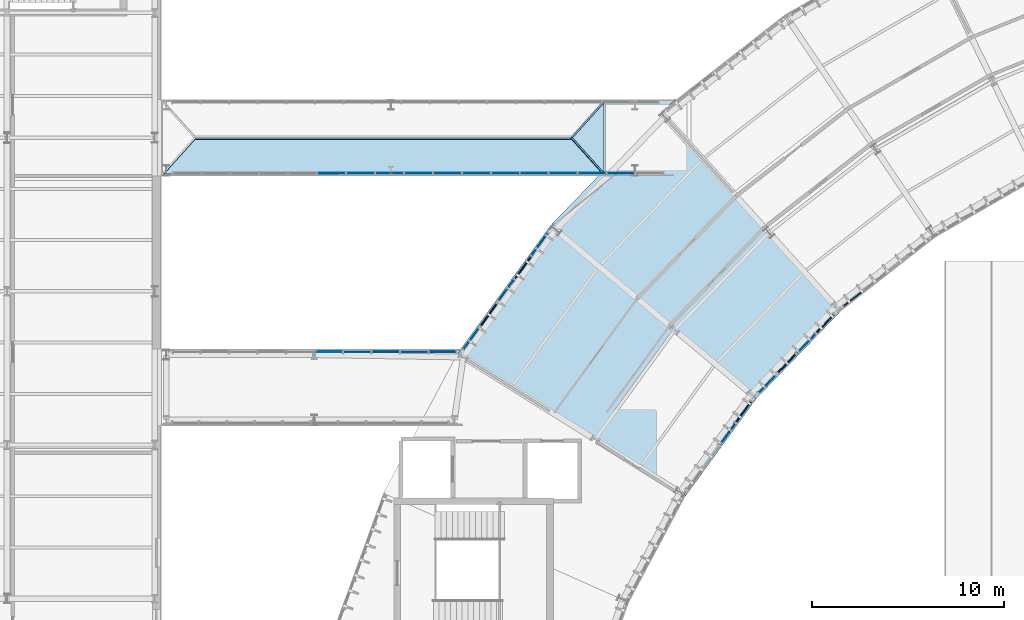
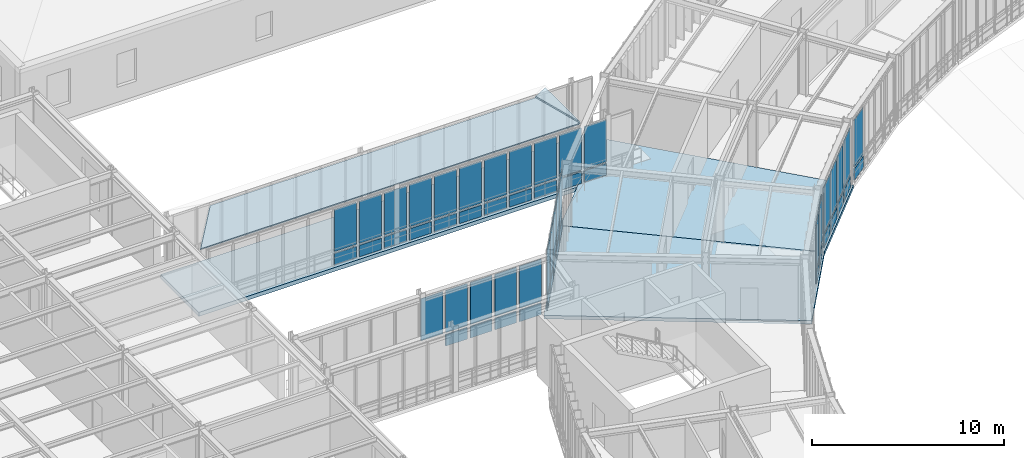
# One storey, part 28 of 57: 55 plates, 5 slabs, 6 elements without a shape of their own.
"""IFC4 building model written with IfcOpenShell, lengths in metres."""

from ifc_helpers import new_model, si_unit, direction, frame, origin, origin_2d, place, context, subcontext, project, spatial, polyline, rectangle, outline, extrude, material, layer, layer_set, type_object, element, aggregate, save


model = new_model("IFC4")

# Units and contexts
model_context = context("Model", 3, precision=1e-05, world=origin(), true_north=direction((0.0, 1.0)))
body_context = subcontext(model_context, "Body", "Model", "MODEL_VIEW")
ifc_project = project(units=[si_unit("LENGTHUNIT", "METRE"), si_unit("AREAUNIT", "SQUARE_METRE"), si_unit("VOLUMEUNIT", "CUBIC_METRE"), si_unit("PLANEANGLEUNIT", "RADIAN"), si_unit("MASSUNIT", "GRAM", prefix="KILO"), si_unit("THERMODYNAMICTEMPERATUREUNIT", "KELVIN"), si_unit("POWERUNIT", "WATT")], contexts=[model_context])

# Site, building, storey
site_placement = place(None, origin())
site = spatial("IfcSite", under=ifc_project, at=site_placement, CompositionType="ELEMENT")
building_placement = place(site_placement, origin())
building = spatial("IfcBuilding", under=site, at=building_placement, Name="Solvatero Civic Police Headquarters", CompositionType="ELEMENT")
storey_placement = place(building_placement, frame((0.0, 0.0, 9.300048828125)))
storey = spatial("IfcBuildingStorey", under=building, at=storey_placement, Name="L02", CompositionType="ELEMENT", Elevation=9.300048828125)

# Curtain wall, plates
ifc_material_1 = material(Name="Anodized Bronze Aluminium", Category="aluminium")
ifc_layer_1 = layer(ifc_material_1, 0.179931640625)
ifc_layer_set_1 = layer_set([ifc_layer_1], Name="Anodized Bronze Aluminium")
curtain_wall_type_1 = type_object("IfcCurtainWallType", Name="CW-ARC-IN", PredefinedType="USERDEFINED", material=ifc_layer_set_1)
curtain_wall_1_placement = place(storey_placement, origin())
curtain_wall_1 = element("IfcCurtainWall", 1, at=curtain_wall_1_placement, inside=storey, type_object=curtain_wall_type_1, Name="Curtain Wall CW-R2-L02-ARC-IN-B07", ObjectType="UNITISED", PredefinedType="USERDEFINED")
ifc_material_2 = material(Name="Triple Low-E Laminated Glass", Category="glass")
ifc_layer_2 = layer(ifc_material_2, 0.0380859375)
ifc_layer_set_2 = layer_set([ifc_layer_2], Name="Triple Low-E Laminated Glass")
plate_type_1 = type_object("IfcPlateType", Name="CWP-GLZ-38", PredefinedType="CURTAIN_PANEL", material=ifc_layer_set_2)
plate_1_placement = place(storey_placement, frame((62.1171875, 57.779052734375, 0.91015625), z_axis=(0.0, 0.0, 1.0), x_axis=(-0.694658370459, -0.719339800339, 0.0)))
plate_1 = element("IfcPlate", 2, at=plate_1_placement, type_object=plate_type_1, Name="CW-R2-L02-ARC-IN-B07 Vision Glazing 2", PredefinedType="CURTAIN_PANEL", context=body_context, shape_type="SweptSolid", body=[
    extrude(rectangle(XDim=1.26806640625, YDim=0.0380859375, at=origin_2d()), origin(), (0.0, 0.0, 1.0), 2.969970703125),
])
plate_2_placement = place(storey_placement, frame((60.105712890625, 55.696044921875, 0.91015625), z_axis=(0.0, 0.0, 1.0), x_axis=(-0.694658370459, -0.719339800339, 0.0)))
plate_2 = element("IfcPlate", 3, at=plate_2_placement, type_object=plate_type_1, Name="CW-R2-L02-ARC-IN-B07 Vision Glazing 4", PredefinedType="CURTAIN_PANEL", context=body_context, shape_type="SweptSolid", body=[
    extrude(rectangle(XDim=1.26806640625, YDim=0.0380859375, at=origin_2d()), origin(), (0.0, 0.0, 1.0), 2.969970703125),
])

ifc_layer_3 = layer(ifc_material_1, 0.179931640625)
ifc_layer_set_3 = layer_set([ifc_layer_3], Name="Anodized Bronze Aluminium")
curtain_wall_type_2 = type_object("IfcCurtainWallType", Name="CW-ARC-OUT", PredefinedType="USERDEFINED", material=ifc_layer_set_3)
curtain_wall_2_placement = place(storey_placement, origin())
curtain_wall_2 = element("IfcCurtainWall", 4, at=curtain_wall_2_placement, inside=storey, type_object=curtain_wall_type_2, Name="Curtain Wall CW-R2-L02-ARC-OUT-B08", ObjectType="UNITISED", PredefinedType="USERDEFINED")
plate_3_placement = place(storey_placement, frame((48.254638671875, 62.965576171875, 0.91015625), z_axis=(0.0, 0.0, 1.0), x_axis=(-0.587771132193, -0.80902725304, 0.0)))
plate_3 = element("IfcPlate", 5, at=plate_3_placement, type_object=plate_type_1, Name="CW-R2-L02-ARC-OUT-B08 Vision Glazing 1", PredefinedType="CURTAIN_PANEL", context=body_context, shape_type="SweptSolid", body=[
    extrude(rectangle(XDim=1.337646484375, YDim=0.0380859375, at=origin_2d()), origin(), (0.0, 0.0, 1.0), 2.969970703125),
])
plate_4_placement = place(storey_placement, frame((46.470458984375, 60.510009765625, 0.91015625), z_axis=(0.0, 0.0, 1.0), x_axis=(-0.587771132193, -0.80902725304, 0.0)))
plate_4 = element("IfcPlate", 6, at=plate_4_placement, type_object=plate_type_1, Name="CW-R2-L02-ARC-OUT-B08 Vision Glazing 3", PredefinedType="CURTAIN_PANEL", context=body_context, shape_type="SweptSolid", body=[
    extrude(rectangle(XDim=1.337646484375, YDim=0.0380859375, at=origin_2d()), origin(), (0.0, 0.0, 1.0), 2.969970703125),
])
plate_5_placement = place(storey_placement, frame((44.686279296875, 58.05419921875, 0.91015625), z_axis=(0.0, 0.0, 1.0), x_axis=(-0.587771132193, -0.80902725304, 0.0)))
plate_5 = element("IfcPlate", 7, at=plate_5_placement, type_object=plate_type_1, Name="CW-R2-L02-ARC-OUT-B08 Vision Glazing 5", PredefinedType="CURTAIN_PANEL", context=body_context, shape_type="SweptSolid", body=[
    extrude(rectangle(XDim=1.337646484375, YDim=0.0380859375, at=origin_2d()), origin(), (0.0, 0.0, 1.0), 2.969970703125),
])

# Curtain wall, plate
curtain_wall_3_placement = place(storey_placement, origin())
curtain_wall_3 = element("IfcCurtainWall", 8, at=curtain_wall_3_placement, inside=storey, type_object=curtain_wall_type_1, Name="Curtain Wall CW-R2-L02-ARC-IN-B08", ObjectType="UNITISED", PredefinedType="USERDEFINED")
plate_6_placement = place(storey_placement, frame((58.020751953125, 53.0546875, 0.91015625), z_axis=(0.0, 0.0, 1.0), x_axis=(-0.587785252292, -0.809016994375, 0.0)))
plate_6 = element("IfcPlate", 9, at=plate_6_placement, type_object=plate_type_1, Name="CW-R2-L02-ARC-IN-B08 Vision Glazing 2", PredefinedType="CURTAIN_PANEL", context=body_context, shape_type="SweptSolid", body=[
    extrude(rectangle(XDim=1.26513671875, YDim=0.0380859375, at=origin_2d()), origin(), (0.0, 0.0, 1.0), 2.969970703125),
])

# Curtain wall, plates
ifc_layer_4 = layer(ifc_material_1, 0.179931640625)
ifc_layer_set_4 = layer_set([ifc_layer_4], Name="Anodized Bronze Aluminium")
curtain_wall_type_3 = type_object("IfcCurtainWallType", Name="CW-SB-GLZ", PredefinedType="USERDEFINED", material=ifc_layer_set_4)
curtain_wall_4_placement = place(storey_placement, origin())
curtain_wall_4 = element("IfcCurtainWall", 10, at=curtain_wall_4_placement, inside=storey, type_object=curtain_wall_type_3, Name="Curtain Wall CW-R2-L02-SB1-N", ObjectType="UNITISED", PredefinedType="USERDEFINED")
plate_7_placement = place(storey_placement, frame((38.742431640625, 57.35009765625, 0.91015625), z_axis=(0.0, 0.0, 1.0), x_axis=(1.0, 0.0, 0.0)))
plate_7 = element("IfcPlate", 11, at=plate_7_placement, type_object=plate_type_1, Name="CW-R2-L02-SB1-N Vision Glazing 7", PredefinedType="CURTAIN_PANEL", context=body_context, shape_type="SweptSolid", body=[
    extrude(rectangle(XDim=1.304931640625, YDim=0.0380859375, at=origin_2d()), origin(), (0.0, 0.0, 1.0), 2.679931640625),
])
plate_8_placement = place(storey_placement, frame((41.71240234375, 57.35009765625, 0.91015625), z_axis=(0.0, 0.0, 1.0), x_axis=(1.0, 0.0, 0.0)))
plate_8 = element("IfcPlate", 12, at=plate_8_placement, type_object=plate_type_1, Name="CW-R2-L02-SB1-N Vision Glazing 9", PredefinedType="CURTAIN_PANEL", context=body_context, shape_type="SweptSolid", body=[
    extrude(rectangle(XDim=1.304931640625, YDim=0.0380859375, at=origin_2d()), origin(), (0.0, 0.0, 1.0), 2.679931640625),
])

curtain_wall_5_placement = place(storey_placement, origin())
curtain_wall_5 = element("IfcCurtainWall", 13, at=curtain_wall_5_placement, inside=storey, type_object=curtain_wall_type_3, Name="Curtain Wall CW-R2-L02-SB2-S", ObjectType="UNITISED", PredefinedType="USERDEFINED")
plate_9_placement = place(storey_placement, frame((37.405517578125, 66.64990234375, 0.91015625), z_axis=(0.0, 0.0, 1.0), x_axis=(1.0, 0.0, 0.0)))
plate_9 = element("IfcPlate", 14, at=plate_9_placement, type_object=plate_type_1, Name="CW-R2-L02-SB2-S Vision Glazing 6", PredefinedType="CURTAIN_PANEL", context=body_context, shape_type="SweptSolid", body=[
    extrude(rectangle(XDim=1.327392578125, YDim=0.0380859375, at=origin_2d()), origin(), (0.0, 0.0, 1.0), 2.679931640625),
])
plate_10_placement = place(storey_placement, frame((40.420166015625, 66.64990234375, 0.91015625), z_axis=(0.0, 0.0, 1.0), x_axis=(1.0, 0.0, 0.0)))
plate_10 = element("IfcPlate", 15, at=plate_10_placement, type_object=plate_type_1, Name="CW-R2-L02-SB2-S Vision Glazing 8", PredefinedType="CURTAIN_PANEL", context=body_context, shape_type="SweptSolid", body=[
    extrude(rectangle(XDim=1.327392578125, YDim=0.0380859375, at=origin_2d()), origin(), (0.0, 0.0, 1.0), 2.679931640625),
])
plate_11_placement = place(storey_placement, frame((43.434814453125, 66.64990234375, 0.91015625), z_axis=(0.0, 0.0, 1.0), x_axis=(1.0, 0.0, 0.0)))
plate_11 = element("IfcPlate", 16, at=plate_11_placement, type_object=plate_type_1, Name="CW-R2-L02-SB2-S Vision Glazing 10", PredefinedType="CURTAIN_PANEL", context=body_context, shape_type="SweptSolid", body=[
    extrude(rectangle(XDim=1.327392578125, YDim=0.0380859375, at=origin_2d()), origin(), (0.0, 0.0, 1.0), 2.679931640625),
])
plate_12_placement = place(storey_placement, frame((46.44970703125, 66.64990234375, 0.91015625), z_axis=(0.0, 0.0, 1.0), x_axis=(1.0, 0.0, 0.0)))
plate_12 = element("IfcPlate", 17, at=plate_12_placement, type_object=plate_type_1, Name="CW-R2-L02-SB2-S Vision Glazing 12", PredefinedType="CURTAIN_PANEL", context=body_context, shape_type="SweptSolid", body=[
    extrude(rectangle(XDim=1.327392578125, YDim=0.0380859375, at=origin_2d()), origin(), (0.0, 0.0, 1.0), 2.679931640625),
])
plate_13_placement = place(storey_placement, frame((49.46435546875, 66.64990234375, 0.91015625), z_axis=(0.0, 0.0, 1.0), x_axis=(1.0, 0.0, 0.0)))
plate_13 = element("IfcPlate", 18, at=plate_13_placement, type_object=plate_type_1, Name="CW-R2-L02-SB2-S Vision Glazing 14", PredefinedType="CURTAIN_PANEL", context=body_context, shape_type="SweptSolid", body=[
    extrude(rectangle(XDim=1.327392578125, YDim=0.0380859375, at=origin_2d()), origin(), (0.0, 0.0, 1.0), 2.679931640625),
])
plate_14_placement = place(storey_placement, frame((52.47900390625, 66.64990234375, 0.91015625), z_axis=(0.0, 0.0, 1.0), x_axis=(1.0, 0.0, 0.0)))
plate_14 = element("IfcPlate", 19, at=plate_14_placement, type_object=plate_type_1, Name="CW-R2-L02-SB2-S Vision Glazing 16", PredefinedType="CURTAIN_PANEL", context=body_context, shape_type="SweptSolid", body=[
    extrude(rectangle(XDim=1.327392578125, YDim=0.0380859375, at=origin_2d()), origin(), (0.0, 0.0, 1.0), 2.679931640625),
])

# Curtain wall, plate
curtain_wall_6_placement = place(storey_placement, origin())
curtain_wall_6 = element("IfcCurtainWall", 20, at=curtain_wall_6_placement, inside=storey, type_object=curtain_wall_type_1, Name="Curtain Wall CW-R2-L02-ARC-IN-B06", ObjectType="UNITISED", PredefinedType="USERDEFINED")
ifc_material_3 = material(Name="Acoustic Ballistic Laminated Glass", Category="glass")
ifc_layer_5 = layer(ifc_material_3, 0.0439453125)
ifc_layer_set_5 = layer_set([ifc_layer_5], Name="Acoustic Ballistic Laminated Glass")
plate_type_2 = type_object("IfcPlateType", Name="CWP-GLZ-44", PredefinedType="CURTAIN_PANEL", material=ifc_layer_set_5)
plate_15_placement = place(storey_placement, frame((64.580810546875, 60.1337890625, 0.91015625), z_axis=(0.0, 0.0, 1.0), x_axis=(-0.788010753607, -0.615661475326, 0.0)))
plate_15 = element("IfcPlate", 21, at=plate_15_placement, type_object=plate_type_2, Name="CW-R2-L02-ARC-IN-B06 Vision Glazing 4", PredefinedType="CURTAIN_PANEL", context=body_context, shape_type="SweptSolid", body=[
    extrude(rectangle(XDim=1.25341796875, YDim=0.0439453125, at=origin_2d()), origin(), (0.0, 0.0, 1.0), 2.969970703125),
])

# Plate
plate_16_placement = place(storey_placement, frame((63.123291015625, 58.82080078125, 0.91015625), z_axis=(0.0, 0.0, 1.0), x_axis=(-0.694658370459, -0.719339800339, 0.0)))
plate_16 = element("IfcPlate", 22, at=plate_16_placement, type_object=plate_type_2, Name="CW-R2-L02-ARC-IN-B07 Vision Glazing 1", PredefinedType="CURTAIN_PANEL", context=body_context, shape_type="SweptSolid", body=[
    extrude(rectangle(XDim=1.26806640625, YDim=0.0439453125, at=origin_2d()), origin(), (0.0, 0.0, 1.0), 2.969970703125),
])

plate_17_placement = place(storey_placement, frame((61.111572265625, 56.737548828125, 0.91015625), z_axis=(0.0, 0.0, 1.0), x_axis=(-0.694658370459, -0.719339800339, 0.0)))
plate_17 = element("IfcPlate", 23, at=plate_17_placement, type_object=plate_type_2, Name="CW-R2-L02-ARC-IN-B07 Vision Glazing 3", PredefinedType="CURTAIN_PANEL", context=body_context, shape_type="SweptSolid", body=[
    extrude(rectangle(XDim=1.26806640625, YDim=0.0439453125, at=origin_2d()), origin(), (0.0, 0.0, 1.0), 2.969970703125),
])

plate_18_placement = place(storey_placement, frame((47.362548828125, 61.73779296875, 0.91015625), z_axis=(0.0, 0.0, 1.0), x_axis=(-0.587771132193, -0.80902725304, 0.0)))
plate_18 = element("IfcPlate", 24, at=plate_18_placement, type_object=plate_type_2, Name="CW-R2-L02-ARC-OUT-B08 Vision Glazing 2", PredefinedType="CURTAIN_PANEL", context=body_context, shape_type="SweptSolid", body=[
    extrude(rectangle(XDim=1.337646484375, YDim=0.0439453125, at=origin_2d()), origin(), (0.0, 0.0, 1.0), 2.969970703125),
])

plate_19_placement = place(storey_placement, frame((45.578369140625, 59.281982421875, 0.91015625), z_axis=(0.0, 0.0, 1.0), x_axis=(-0.587771132193, -0.80902725304, 0.0)))
plate_19 = element("IfcPlate", 25, at=plate_19_placement, type_object=plate_type_2, Name="CW-R2-L02-ARC-OUT-B08 Vision Glazing 4", PredefinedType="CURTAIN_PANEL", context=body_context, shape_type="SweptSolid", body=[
    extrude(rectangle(XDim=1.337646484375, YDim=0.0439453125, at=origin_2d()), origin(), (0.0, 0.0, 1.0), 2.969970703125),
])

plate_20_placement = place(storey_placement, frame((58.870361328125, 54.223876953125, 0.91015625), z_axis=(0.0, 0.0, 1.0), x_axis=(-0.587785252292, -0.809016994375, 0.0)))
plate_20 = element("IfcPlate", 26, at=plate_20_placement, type_object=plate_type_2, Name="CW-R2-L02-ARC-IN-B08 Vision Glazing 1", PredefinedType="CURTAIN_PANEL", context=body_context, shape_type="SweptSolid", body=[
    extrude(rectangle(XDim=1.26513671875, YDim=0.0439453125, at=origin_2d()), origin(), (0.0, 0.0, 1.0), 2.969970703125),
])

plate_21_placement = place(storey_placement, frame((37.257568359375, 57.35009765625, 0.91015625), z_axis=(0.0, 0.0, 1.0), x_axis=(1.0, 0.0, 0.0)))
plate_21 = element("IfcPlate", 27, at=plate_21_placement, type_object=plate_type_2, Name="CW-R2-L02-SB1-N Vision Glazing 6", PredefinedType="CURTAIN_PANEL", context=body_context, shape_type="SweptSolid", body=[
    extrude(rectangle(XDim=1.304931640625, YDim=0.0439453125, at=origin_2d()), origin(), (0.0, 0.0, 1.0), 2.679931640625),
])

plate_22_placement = place(storey_placement, frame((40.2275390625, 57.35009765625, 0.91015625), z_axis=(0.0, 0.0, 1.0), x_axis=(1.0, 0.0, 0.0)))
plate_22 = element("IfcPlate", 28, at=plate_22_placement, type_object=plate_type_2, Name="CW-R2-L02-SB1-N Vision Glazing 8", PredefinedType="CURTAIN_PANEL", context=body_context, shape_type="SweptSolid", body=[
    extrude(rectangle(XDim=1.304931640625, YDim=0.0439453125, at=origin_2d()), origin(), (0.0, 0.0, 1.0), 2.679931640625),
])

plate_23_placement = place(storey_placement, frame((43.197509765625, 57.35009765625, 0.91015625), z_axis=(0.0, 0.0, 1.0), x_axis=(1.0, 0.0, 0.0)))
plate_23 = element("IfcPlate", 29, at=plate_23_placement, type_object=plate_type_2, Name="CW-R2-L02-SB1-N Vision Glazing 10", PredefinedType="CURTAIN_PANEL", context=body_context, shape_type="SweptSolid", body=[
    extrude(rectangle(XDim=1.304931640625, YDim=0.0439453125, at=origin_2d()), origin(), (0.0, 0.0, 1.0), 2.679931640625),
])

plate_24_placement = place(storey_placement, frame((38.912841796875, 66.64990234375, 0.91015625), z_axis=(0.0, 0.0, 1.0), x_axis=(1.0, 0.0, 0.0)))
plate_24 = element("IfcPlate", 30, at=plate_24_placement, type_object=plate_type_2, Name="CW-R2-L02-SB2-S Vision Glazing 7", PredefinedType="CURTAIN_PANEL", context=body_context, shape_type="SweptSolid", body=[
    extrude(rectangle(XDim=1.327392578125, YDim=0.0439453125, at=origin_2d()), origin(), (0.0, 0.0, 1.0), 2.679931640625),
])

plate_25_placement = place(storey_placement, frame((41.927490234375, 66.64990234375, 0.91015625), z_axis=(0.0, 0.0, 1.0), x_axis=(1.0, 0.0, 0.0)))
plate_25 = element("IfcPlate", 31, at=plate_25_placement, type_object=plate_type_2, Name="CW-R2-L02-SB2-S Vision Glazing 9", PredefinedType="CURTAIN_PANEL", context=body_context, shape_type="SweptSolid", body=[
    extrude(rectangle(XDim=1.327392578125, YDim=0.0439453125, at=origin_2d()), origin(), (0.0, 0.0, 1.0), 2.679931640625),
])

plate_26_placement = place(storey_placement, frame((44.942138671875, 66.64990234375, 0.91015625), z_axis=(0.0, 0.0, 1.0), x_axis=(1.0, 0.0, 0.0)))
plate_26 = element("IfcPlate", 32, at=plate_26_placement, type_object=plate_type_2, Name="CW-R2-L02-SB2-S Vision Glazing 11", PredefinedType="CURTAIN_PANEL", context=body_context, shape_type="SweptSolid", body=[
    extrude(rectangle(XDim=1.327392578125, YDim=0.0439453125, at=origin_2d()), origin(), (0.0, 0.0, 1.0), 2.679931640625),
])

plate_27_placement = place(storey_placement, frame((47.956787109375, 66.64990234375, 0.91015625), z_axis=(0.0, 0.0, 1.0), x_axis=(1.0, 0.0, 0.0)))
plate_27 = element("IfcPlate", 33, at=plate_27_placement, type_object=plate_type_2, Name="CW-R2-L02-SB2-S Vision Glazing 13", PredefinedType="CURTAIN_PANEL", context=body_context, shape_type="SweptSolid", body=[
    extrude(rectangle(XDim=1.327392578125, YDim=0.0439453125, at=origin_2d()), origin(), (0.0, 0.0, 1.0), 2.679931640625),
])

plate_28_placement = place(storey_placement, frame((50.9716796875, 66.64990234375, 0.91015625), z_axis=(0.0, 0.0, 1.0), x_axis=(1.0, 0.0, 0.0)))
plate_28 = element("IfcPlate", 34, at=plate_28_placement, type_object=plate_type_2, Name="CW-R2-L02-SB2-S Vision Glazing 15", PredefinedType="CURTAIN_PANEL", context=body_context, shape_type="SweptSolid", body=[
    extrude(rectangle(XDim=1.327392578125, YDim=0.0439453125, at=origin_2d()), origin(), (0.0, 0.0, 1.0), 2.679931640625),
])

ifc_material_4 = material(Name="Insulated Bronze Aluminium Spandrel", Category="aluminium")
ifc_layer_6 = layer(ifc_material_4, 0.06005859375)
ifc_layer_set_6 = layer_set([ifc_layer_6], Name="Insulated Bronze Aluminium Spandrel")
plate_type_3 = type_object("IfcPlateType", Name="CWP-SPN-60", PredefinedType="CURTAIN_PANEL", material=ifc_layer_set_6)
plate_29_placement = place(storey_placement, frame((62.1171875, 57.779052734375, 0.06005859375), z_axis=(0.0, 0.0, 1.0), x_axis=(-0.694658370459, -0.719339800339, 0.0)))
plate_29 = element("IfcPlate", 35, at=plate_29_placement, type_object=plate_type_3, Name="CW-R2-L02-ARC-IN-B07 Spandrel Panel 2", PredefinedType="CURTAIN_PANEL", context=body_context, shape_type="SweptSolid", body=[
    extrude(rectangle(XDim=1.26806640625, YDim=0.06005859375, at=origin_2d()), origin(), (0.0, 0.0, 1.0), 0.72998046875),
])

plate_30_placement = place(storey_placement, frame((60.105712890625, 55.696044921875, 0.06005859375), z_axis=(0.0, 0.0, 1.0), x_axis=(-0.694658370459, -0.719339800339, 0.0)))
plate_30 = element("IfcPlate", 36, at=plate_30_placement, type_object=plate_type_3, Name="CW-R2-L02-ARC-IN-B07 Spandrel Panel 4", PredefinedType="CURTAIN_PANEL", context=body_context, shape_type="SweptSolid", body=[
    extrude(rectangle(XDim=1.26806640625, YDim=0.06005859375, at=origin_2d()), origin(), (0.0, 0.0, 1.0), 0.72998046875),
])

plate_31_placement = place(storey_placement, frame((48.254638671875, 62.965576171875, 0.06005859375), z_axis=(0.0, 0.0, 1.0), x_axis=(-0.587771132193, -0.80902725304, 0.0)))
plate_31 = element("IfcPlate", 37, at=plate_31_placement, type_object=plate_type_3, Name="CW-R2-L02-ARC-OUT-B08 Spandrel Panel 1", PredefinedType="CURTAIN_PANEL", context=body_context, shape_type="SweptSolid", body=[
    extrude(rectangle(XDim=1.337646484375, YDim=0.06005859375, at=origin_2d()), origin(), (0.0, 0.0, 1.0), 0.72998046875),
])

plate_32_placement = place(storey_placement, frame((46.470458984375, 60.510009765625, 0.06005859375), z_axis=(0.0, 0.0, 1.0), x_axis=(-0.587771132193, -0.80902725304, 0.0)))
plate_32 = element("IfcPlate", 38, at=plate_32_placement, type_object=plate_type_3, Name="CW-R2-L02-ARC-OUT-B08 Spandrel Panel 3", PredefinedType="CURTAIN_PANEL", context=body_context, shape_type="SweptSolid", body=[
    extrude(rectangle(XDim=1.337646484375, YDim=0.06005859375, at=origin_2d()), origin(), (0.0, 0.0, 1.0), 0.72998046875),
])

plate_33_placement = place(storey_placement, frame((44.686279296875, 58.05419921875, 0.06005859375), z_axis=(0.0, 0.0, 1.0), x_axis=(-0.587771132193, -0.80902725304, 0.0)))
plate_33 = element("IfcPlate", 39, at=plate_33_placement, type_object=plate_type_3, Name="CW-R2-L02-ARC-OUT-B08 Spandrel Panel 5", PredefinedType="CURTAIN_PANEL", context=body_context, shape_type="SweptSolid", body=[
    extrude(rectangle(XDim=1.337646484375, YDim=0.06005859375, at=origin_2d()), origin(), (0.0, 0.0, 1.0), 0.72998046875),
])

plate_34_placement = place(storey_placement, frame((58.020751953125, 53.0546875, 0.06005859375), z_axis=(0.0, 0.0, 1.0), x_axis=(-0.587785252292, -0.809016994375, 0.0)))
plate_34 = element("IfcPlate", 40, at=plate_34_placement, type_object=plate_type_3, Name="CW-R2-L02-ARC-IN-B08 Spandrel Panel 2", PredefinedType="CURTAIN_PANEL", context=body_context, shape_type="SweptSolid", body=[
    extrude(rectangle(XDim=1.26513671875, YDim=0.06005859375, at=origin_2d()), origin(), (0.0, 0.0, 1.0), 0.72998046875),
])

plate_35_placement = place(storey_placement, frame((38.742431640625, 57.35009765625, 0.06005859375), z_axis=(0.0, 0.0, 1.0), x_axis=(1.0, 0.0, 0.0)))
plate_35 = element("IfcPlate", 41, at=plate_35_placement, type_object=plate_type_3, Name="CW-R2-L02-SB1-N Spandrel Panel 7", PredefinedType="CURTAIN_PANEL", context=body_context, shape_type="SweptSolid", body=[
    extrude(rectangle(XDim=1.304931640625, YDim=0.06005859375, at=origin_2d()), origin(), (0.0, 0.0, 1.0), 0.72998046875),
])

plate_36_placement = place(storey_placement, frame((41.71240234375, 57.35009765625, 0.06005859375), z_axis=(0.0, 0.0, 1.0), x_axis=(1.0, 0.0, 0.0)))
plate_36 = element("IfcPlate", 42, at=plate_36_placement, type_object=plate_type_3, Name="CW-R2-L02-SB1-N Spandrel Panel 9", PredefinedType="CURTAIN_PANEL", context=body_context, shape_type="SweptSolid", body=[
    extrude(rectangle(XDim=1.304931640625, YDim=0.06005859375, at=origin_2d()), origin(), (0.0, 0.0, 1.0), 0.72998046875),
])

plate_37_placement = place(storey_placement, frame((37.405517578125, 66.64990234375, 0.06005859375), z_axis=(0.0, 0.0, 1.0), x_axis=(1.0, 0.0, 0.0)))
plate_37 = element("IfcPlate", 43, at=plate_37_placement, type_object=plate_type_3, Name="CW-R2-L02-SB2-S Spandrel Panel 6", PredefinedType="CURTAIN_PANEL", context=body_context, shape_type="SweptSolid", body=[
    extrude(rectangle(XDim=1.327392578125, YDim=0.06005859375, at=origin_2d()), origin(), (0.0, 0.0, 1.0), 0.72998046875),
])

plate_38_placement = place(storey_placement, frame((40.420166015625, 66.64990234375, 0.06005859375), z_axis=(0.0, 0.0, 1.0), x_axis=(1.0, 0.0, 0.0)))
plate_38 = element("IfcPlate", 44, at=plate_38_placement, type_object=plate_type_3, Name="CW-R2-L02-SB2-S Spandrel Panel 8", PredefinedType="CURTAIN_PANEL", context=body_context, shape_type="SweptSolid", body=[
    extrude(rectangle(XDim=1.327392578125, YDim=0.06005859375, at=origin_2d()), origin(), (0.0, 0.0, 1.0), 0.72998046875),
])

plate_39_placement = place(storey_placement, frame((43.434814453125, 66.64990234375, 0.06005859375), z_axis=(0.0, 0.0, 1.0), x_axis=(1.0, 0.0, 0.0)))
plate_39 = element("IfcPlate", 45, at=plate_39_placement, type_object=plate_type_3, Name="CW-R2-L02-SB2-S Spandrel Panel 10", PredefinedType="CURTAIN_PANEL", context=body_context, shape_type="SweptSolid", body=[
    extrude(rectangle(XDim=1.327392578125, YDim=0.06005859375, at=origin_2d()), origin(), (0.0, 0.0, 1.0), 0.72998046875),
])

plate_40_placement = place(storey_placement, frame((46.44970703125, 66.64990234375, 0.06005859375), z_axis=(0.0, 0.0, 1.0), x_axis=(1.0, 0.0, 0.0)))
plate_40 = element("IfcPlate", 46, at=plate_40_placement, type_object=plate_type_3, Name="CW-R2-L02-SB2-S Spandrel Panel 12", PredefinedType="CURTAIN_PANEL", context=body_context, shape_type="SweptSolid", body=[
    extrude(rectangle(XDim=1.327392578125, YDim=0.06005859375, at=origin_2d()), origin(), (0.0, 0.0, 1.0), 0.72998046875),
])

plate_41_placement = place(storey_placement, frame((49.46435546875, 66.64990234375, 0.06005859375), z_axis=(0.0, 0.0, 1.0), x_axis=(1.0, 0.0, 0.0)))
plate_41 = element("IfcPlate", 47, at=plate_41_placement, type_object=plate_type_3, Name="CW-R2-L02-SB2-S Spandrel Panel 14", PredefinedType="CURTAIN_PANEL", context=body_context, shape_type="SweptSolid", body=[
    extrude(rectangle(XDim=1.327392578125, YDim=0.06005859375, at=origin_2d()), origin(), (0.0, 0.0, 1.0), 0.72998046875),
])

plate_42_placement = place(storey_placement, frame((52.47900390625, 66.64990234375, 0.06005859375), z_axis=(0.0, 0.0, 1.0), x_axis=(1.0, 0.0, 0.0)))
plate_42 = element("IfcPlate", 48, at=plate_42_placement, type_object=plate_type_3, Name="CW-R2-L02-SB2-S Spandrel Panel 16", PredefinedType="CURTAIN_PANEL", context=body_context, shape_type="SweptSolid", body=[
    extrude(rectangle(XDim=1.327392578125, YDim=0.06005859375, at=origin_2d()), origin(), (0.0, 0.0, 1.0), 0.72998046875),
])

ifc_material_5 = material(Name="Limestone Veneer Spandrel Panel", Category="masonry")
ifc_layer_7 = layer(ifc_material_5, 0.074951171875)
ifc_layer_set_7 = layer_set([ifc_layer_7], Name="Limestone Veneer Spandrel Panel")
plate_type_4 = type_object("IfcPlateType", Name="CWP-SPN-75", PredefinedType="CURTAIN_PANEL", material=ifc_layer_set_7)
plate_43_placement = place(storey_placement, frame((64.580810546875, 60.1337890625, 0.06005859375), z_axis=(0.0, 0.0, 1.0), x_axis=(-0.788010753607, -0.615661475326, 0.0)))
plate_43 = element("IfcPlate", 49, at=plate_43_placement, type_object=plate_type_4, Name="CW-R2-L02-ARC-IN-B06 Spandrel Panel 4", PredefinedType="CURTAIN_PANEL", context=body_context, shape_type="SweptSolid", body=[
    extrude(rectangle(XDim=1.25341796875, YDim=0.074951171875, at=origin_2d()), origin(), (0.0, 0.0, 1.0), 0.72998046875),
])

aggregate(curtain_wall_6, [plate_43, plate_15])

plate_44_placement = place(storey_placement, frame((63.123291015625, 58.82080078125, 0.06005859375), z_axis=(0.0, 0.0, 1.0), x_axis=(-0.694658370459, -0.719339800339, 0.0)))
plate_44 = element("IfcPlate", 50, at=plate_44_placement, type_object=plate_type_4, Name="CW-R2-L02-ARC-IN-B07 Spandrel Panel 1", PredefinedType="CURTAIN_PANEL", context=body_context, shape_type="SweptSolid", body=[
    extrude(rectangle(XDim=1.26806640625, YDim=0.074951171875, at=origin_2d()), origin(), (0.0, 0.0, 1.0), 0.72998046875),
])

plate_45_placement = place(storey_placement, frame((61.111572265625, 56.737548828125, 0.06005859375), z_axis=(0.0, 0.0, 1.0), x_axis=(-0.694658370459, -0.719339800339, 0.0)))
plate_45 = element("IfcPlate", 51, at=plate_45_placement, type_object=plate_type_4, Name="CW-R2-L02-ARC-IN-B07 Spandrel Panel 3", PredefinedType="CURTAIN_PANEL", context=body_context, shape_type="SweptSolid", body=[
    extrude(rectangle(XDim=1.26806640625, YDim=0.074951171875, at=origin_2d()), origin(), (0.0, 0.0, 1.0), 0.72998046875),
])

aggregate(curtain_wall_1, [plate_44, plate_16, plate_29, plate_1, plate_45, plate_17, plate_30, plate_2])

plate_46_placement = place(storey_placement, frame((47.362548828125, 61.73779296875, 0.06005859375), z_axis=(0.0, 0.0, 1.0), x_axis=(-0.587771132193, -0.80902725304, 0.0)))
plate_46 = element("IfcPlate", 52, at=plate_46_placement, type_object=plate_type_4, Name="CW-R2-L02-ARC-OUT-B08 Spandrel Panel 2", PredefinedType="CURTAIN_PANEL", context=body_context, shape_type="SweptSolid", body=[
    extrude(rectangle(XDim=1.337646484375, YDim=0.074951171875, at=origin_2d()), origin(), (0.0, 0.0, 1.0), 0.72998046875),
])

plate_47_placement = place(storey_placement, frame((45.578369140625, 59.281982421875, 0.06005859375), z_axis=(0.0, 0.0, 1.0), x_axis=(-0.587771132193, -0.80902725304, 0.0)))
plate_47 = element("IfcPlate", 53, at=plate_47_placement, type_object=plate_type_4, Name="CW-R2-L02-ARC-OUT-B08 Spandrel Panel 4", PredefinedType="CURTAIN_PANEL", context=body_context, shape_type="SweptSolid", body=[
    extrude(rectangle(XDim=1.337646484375, YDim=0.074951171875, at=origin_2d()), origin(), (0.0, 0.0, 1.0), 0.72998046875),
])

aggregate(curtain_wall_2, [plate_31, plate_3, plate_46, plate_18, plate_32, plate_4, plate_47, plate_19, plate_33, plate_5])

plate_48_placement = place(storey_placement, frame((58.870361328125, 54.223876953125, 0.06005859375), z_axis=(0.0, 0.0, 1.0), x_axis=(-0.587785252292, -0.809016994375, 0.0)))
plate_48 = element("IfcPlate", 54, at=plate_48_placement, type_object=plate_type_4, Name="CW-R2-L02-ARC-IN-B08 Spandrel Panel 1", PredefinedType="CURTAIN_PANEL", context=body_context, shape_type="SweptSolid", body=[
    extrude(rectangle(XDim=1.26513671875, YDim=0.074951171875, at=origin_2d()), origin(), (0.0, 0.0, 1.0), 0.72998046875),
])

aggregate(curtain_wall_3, [plate_48, plate_20, plate_34, plate_6])

plate_49_placement = place(storey_placement, frame((40.2275390625, 57.35009765625, 0.06005859375), z_axis=(0.0, 0.0, 1.0), x_axis=(1.0, 0.0, 0.0)))
plate_49 = element("IfcPlate", 55, at=plate_49_placement, type_object=plate_type_4, Name="CW-R2-L02-SB1-N Spandrel Panel 8", PredefinedType="CURTAIN_PANEL", context=body_context, shape_type="SweptSolid", body=[
    extrude(rectangle(XDim=1.304931640625, YDim=0.074951171875, at=origin_2d()), origin(), (0.0, 0.0, 1.0), 0.72998046875),
])

plate_50_placement = place(storey_placement, frame((43.197509765625, 57.35009765625, 0.06005859375), z_axis=(0.0, 0.0, 1.0), x_axis=(1.0, 0.0, 0.0)))
plate_50 = element("IfcPlate", 56, at=plate_50_placement, type_object=plate_type_4, Name="CW-R2-L02-SB1-N Spandrel Panel 10", PredefinedType="CURTAIN_PANEL", context=body_context, shape_type="SweptSolid", body=[
    extrude(rectangle(XDim=1.304931640625, YDim=0.074951171875, at=origin_2d()), origin(), (0.0, 0.0, 1.0), 0.72998046875),
])

aggregate(curtain_wall_4, [plate_21, plate_35, plate_7, plate_49, plate_22, plate_36, plate_8, plate_50, plate_23])

plate_51_placement = place(storey_placement, frame((38.912841796875, 66.64990234375, 0.06005859375), z_axis=(0.0, 0.0, 1.0), x_axis=(1.0, 0.0, 0.0)))
plate_51 = element("IfcPlate", 57, at=plate_51_placement, type_object=plate_type_4, Name="CW-R2-L02-SB2-S Spandrel Panel 7", PredefinedType="CURTAIN_PANEL", context=body_context, shape_type="SweptSolid", body=[
    extrude(rectangle(XDim=1.327392578125, YDim=0.074951171875, at=origin_2d()), origin(), (0.0, 0.0, 1.0), 0.72998046875),
])

plate_52_placement = place(storey_placement, frame((41.927490234375, 66.64990234375, 0.06005859375), z_axis=(0.0, 0.0, 1.0), x_axis=(1.0, 0.0, 0.0)))
plate_52 = element("IfcPlate", 58, at=plate_52_placement, type_object=plate_type_4, Name="CW-R2-L02-SB2-S Spandrel Panel 9", PredefinedType="CURTAIN_PANEL", context=body_context, shape_type="SweptSolid", body=[
    extrude(rectangle(XDim=1.327392578125, YDim=0.074951171875, at=origin_2d()), origin(), (0.0, 0.0, 1.0), 0.72998046875),
])

plate_53_placement = place(storey_placement, frame((44.942138671875, 66.64990234375, 0.06005859375), z_axis=(0.0, 0.0, 1.0), x_axis=(1.0, 0.0, 0.0)))
plate_53 = element("IfcPlate", 59, at=plate_53_placement, type_object=plate_type_4, Name="CW-R2-L02-SB2-S Spandrel Panel 11", PredefinedType="CURTAIN_PANEL", context=body_context, shape_type="SweptSolid", body=[
    extrude(rectangle(XDim=1.327392578125, YDim=0.074951171875, at=origin_2d()), origin(), (0.0, 0.0, 1.0), 0.72998046875),
])

plate_54_placement = place(storey_placement, frame((47.956787109375, 66.64990234375, 0.06005859375), z_axis=(0.0, 0.0, 1.0), x_axis=(1.0, 0.0, 0.0)))
plate_54 = element("IfcPlate", 60, at=plate_54_placement, type_object=plate_type_4, Name="CW-R2-L02-SB2-S Spandrel Panel 13", PredefinedType="CURTAIN_PANEL", context=body_context, shape_type="SweptSolid", body=[
    extrude(rectangle(XDim=1.327392578125, YDim=0.074951171875, at=origin_2d()), origin(), (0.0, 0.0, 1.0), 0.72998046875),
])

plate_55_placement = place(storey_placement, frame((50.9716796875, 66.64990234375, 0.06005859375), z_axis=(0.0, 0.0, 1.0), x_axis=(1.0, 0.0, 0.0)))
plate_55 = element("IfcPlate", 61, at=plate_55_placement, type_object=plate_type_4, Name="CW-R2-L02-SB2-S Spandrel Panel 15", PredefinedType="CURTAIN_PANEL", context=body_context, shape_type="SweptSolid", body=[
    extrude(rectangle(XDim=1.327392578125, YDim=0.074951171875, at=origin_2d()), origin(), (0.0, 0.0, 1.0), 0.72998046875),
])

aggregate(curtain_wall_5, [plate_37, plate_9, plate_51, plate_24, plate_38, plate_10, plate_52, plate_25, plate_39, plate_11, plate_53, plate_26, plate_40, plate_12, plate_54, plate_27, plate_41, plate_13, plate_55, plate_28, plate_42, plate_14])

# Slabs
ifc_material_6 = material(Name="Concrete C40/50", Category="concrete")
ifc_layer_8 = layer(ifc_material_6, 0.25)
ifc_layer_set_8 = layer_set([ifc_layer_8], Name="Concrete C40/50")
slab_type_1 = type_object("IfcSlabType", Name="SLB-BRG-250", PredefinedType="FLOOR", material=ifc_layer_set_8)
slab_1_placement = place(storey_placement, frame((0.0, 0.0, -0.25)))
element("IfcSlab", 62, at=slab_1_placement, inside=storey, type_object=slab_type_1, Name="L02 Suspended floor slab SLB-L02-SB2", PredefinedType="FLOOR", context=body_context, shape_type="SweptSolid", body=[
    extrude(outline(polyline([(55.355712890625, 70.5), (54.518310546875, 69.845703125), (51.287841796875, 66.5), (28.501953125, 66.5), (28.501953125, 70.5), (55.355712890625, 70.5)])), origin(), (0.0, 0.0, 1.0), 0.25),
])
ifc_material_7 = material(Name="Concrete C35/45", Category="concrete")
ifc_layer_9 = layer(ifc_material_7, 0.199951171875)
ifc_layer_set_9 = layer_set([ifc_layer_9], Name="Concrete C35/45")
slab_type_2 = type_object("IfcSlabType", Name="SLB-COMP-200", PredefinedType="FLOOR", material=ifc_layer_set_9)
slab_2_placement = place(storey_placement, frame((0.0, 0.0, -0.219970703125)))
element("IfcSlab", 63, at=slab_2_placement, inside=storey, type_object=slab_type_2, Name="L02 Operations Arc Floor Slab Bay 7", PredefinedType="FLOOR", context=body_context, shape_type="SweptSolid", body=[
    extrude(outline(polyline([(54.52001953125, 69.843994140625), (63.8876953125, 59.440185546875), (59.528076171875, 54.92529296875), (48.803466796875, 63.924560546875), (54.52001953125, 69.843994140625)])), origin(), (0.0, 0.0, 1.0), 0.219970703125),
])
slab_3_placement = place(storey_placement, frame((0.0, 0.0, -0.219970703125)))
element("IfcSlab", 64, at=slab_3_placement, inside=storey, type_object=slab_type_2, Name="L02 Operations Arc Floor Slab Bay 8", PredefinedType="FLOOR", context=body_context, shape_type="SweptSolid", body=[
    extrude(outline(polyline([(48.80224609375, 63.9228515625), (59.52685546875, 54.923828125), (55.837890625, 49.846435546875), (43.965087890625, 57.26513671875), (48.80224609375, 63.9228515625)])), origin(), (0.0, 0.0, 1.0), 0.219970703125),
])
ifc_layer_10 = layer(ifc_material_7, 0.179931640625)
ifc_layer_set_10 = layer_set([ifc_layer_10], Name="Concrete C35/45")
slab_type_3 = type_object("IfcSlabType", Name="SLB-RF-COT-180", PredefinedType="ROOF", material=ifc_layer_set_10)
slab_4_placement = place(storey_placement, frame((49.905029296875, 68.406005859375, 5.042724609375), z_axis=(0.0, -0.521165293373, 0.853455761585), x_axis=(0.60919257369, -0.676809472452, -0.41329571273)))
element("IfcSlab", 65, at=slab_4_placement, inside=storey, type_object=slab_type_3, Name="SB2R Lombard Hipped Roof Slab S", PredefinedType="ROOF", context=body_context, shape_type="SweptSolid", body=[
    extrude(outline(polyline([(0.0, 0.0), (2.6682667377325453, 1.6653345369377348e-16), (-11.258535852046021, -18.12934997637765), (-11.946331810664187, -15.551252983827059), (0.0, 0.0)])), origin(), (0.0, 0.0, -1.0), 0.179931640625),
])
slab_5_placement = place(storey_placement, frame((51.60009765625, 70.3251953125, 3.93994140625), z_axis=(0.561408185522, 0.0, 0.827539031846), x_axis=(0.0, -1.0, 0.0)))
element("IfcSlab", 66, at=slab_5_placement, inside=storey, type_object=slab_type_3, Name="SB2R Lombard Hipped Roof Slab E", PredefinedType="ROOF", context=body_context, shape_type="SweptSolid", body=[
    extrude(outline(polyline([(0.0, 0.0), (3.650390625, 0.0), (1.8251953125, -1.9851900664552748), (0.0, 0.0)])), origin(), (0.0, 0.0, -1.0), 0.179931640625),
])

save(model, "model.ifc")
